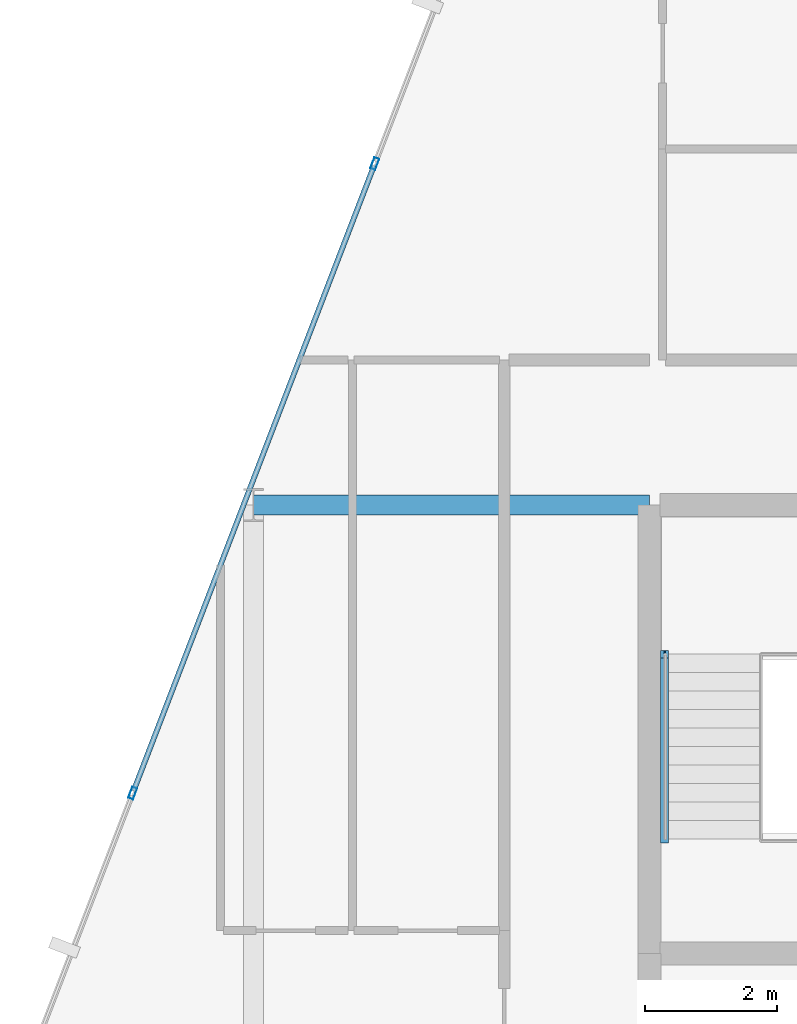
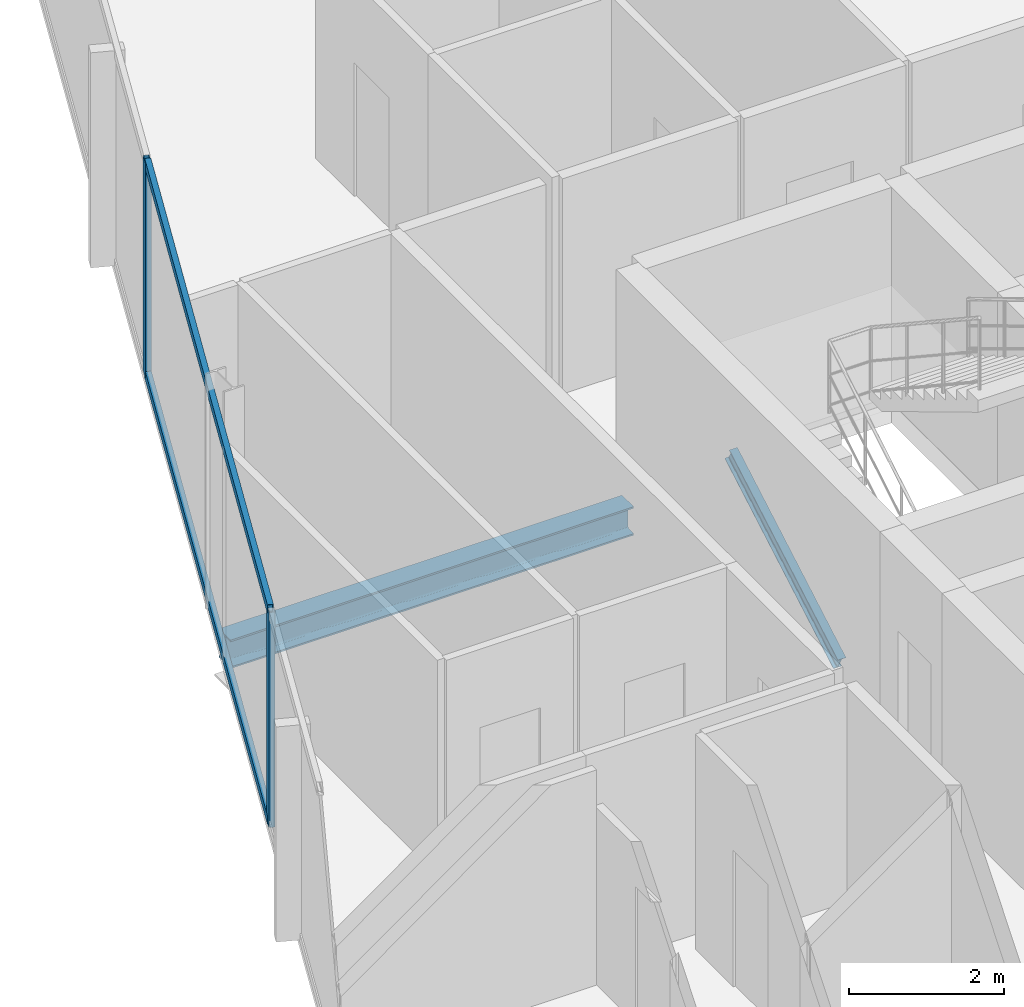
# One storey, part 15 of 31: 5 members, 1 beam, 1 element without a shape of its own.
"""IFC4 building model written with IfcOpenShell, lengths in metres."""

from ifc_helpers import new_model, si_unit, direction, frame, origin, origin_2d, place, context, subcontext, project, spatial, hollow_rectangle, i_section, extrude, material, layer, layer_set, material_profile, profile_set, type_object, element, aggregate, save


model = new_model("IFC4")

# Units and contexts
model_context = context("Model", 3, precision=1e-05, world=origin(), true_north=direction((0.0, 1.0)))
body_context = subcontext(model_context, "Body", "Model", "MODEL_VIEW")
ifc_project = project(units=[si_unit("LENGTHUNIT", "METRE"), si_unit("AREAUNIT", "SQUARE_METRE"), si_unit("VOLUMEUNIT", "CUBIC_METRE"), si_unit("PLANEANGLEUNIT", "RADIAN"), si_unit("MASSUNIT", "GRAM", prefix="KILO")], contexts=[model_context])

# Site, building, storey
site_placement = place(None, origin())
site = spatial("IfcSite", under=ifc_project, at=site_placement, CompositionType="ELEMENT")
building_placement = place(site_placement, origin())
building = spatial("IfcBuilding", under=site, at=building_placement, Name="Keshet Zoharim Tower", CompositionType="ELEMENT")
storey_placement = place(building_placement, frame((0.0, 0.0, 140.89990234375)))
storey = spatial("IfcBuildingStorey", under=building, at=storey_placement, Name="L34", CompositionType="ELEMENT", Elevation=140.89990234375)

# Beam
ifc_material_1 = material(Name="Steel S355", Category="steel")
ifc_material_profile_1 = material_profile(ifc_material_1, i_section(OverallWidth=0.300048828125, OverallDepth=0.449951171875, WebThickness=0.013916015625, FlangeThickness=0.02587890625, FilletRadius=0.027099609375, at=origin_2d()), Name="HEB450")
ifc_profile_set_1 = profile_set([ifc_material_profile_1], Name="Steel S355")
beam_type = type_object("IfcBeamType", Name="BM-WEB-HB450", PredefinedType="BEAM", material=ifc_profile_set_1)
beam_placement = place(storey_placement, frame((9.0, 37.89990234375, -0.539794921875), z_axis=(1.0, 0.0, 0.0), x_axis=(0.0, 1.0, 0.0)))
element("IfcBeam", 1, at=beam_placement, inside=storey, type_object=beam_type, Name="L34 Primary Girder X-018", PredefinedType="BEAM", context=body_context, shape_type="SweptSolid", body=[
    extrude(i_section(OverallWidth=0.300048828125, OverallDepth=0.449951171875, WebThickness=0.013916015625, FlangeThickness=0.02587890625, FilletRadius=0.027099609375, at=origin_2d()), origin(), (0.0, 0.0, 1.0), 6.0),
])

# Curtain wall, members
ifc_material_2 = material(Name="Aluminium 6063-T6", Category="aluminium")
ifc_layer = layer(ifc_material_2, 0.159912109375)
ifc_layer_set = layer_set([ifc_layer], Name="Aluminium 6063-T6")
curtain_wall_type = type_object("IfcCurtainWallType", Name="CW-SYS-03", PredefinedType="NOTDEFINED", material=ifc_layer_set)
curtain_wall_placement = place(storey_placement, origin())
curtain_wall = element("IfcCurtainWall", 2, at=curtain_wall_placement, inside=storey, type_object=curtain_wall_type, Name="L34 Unitised Curtain Wall 10", PredefinedType="NOTDEFINED")
ifc_material_profile_2 = material_profile(ifc_material_2, hollow_rectangle(XDim=0.080078125, YDim=0.179931640625, WallThickness=0.00439453125, at=origin_2d()), Name="MUL-80x180")
ifc_profile_set_2 = profile_set([ifc_material_profile_2], Name="Aluminium 6063-T6")
member_type_1 = type_object("IfcMemberType", Name="CWM-M18", PredefinedType="MULLION", material=ifc_profile_set_2)
member_1_placement = place(storey_placement, frame((7.1669921875, 33.53466796875, 0.0), z_axis=(0.0, 0.0, 1.0), x_axis=(-0.933341404361, 0.358990003907, 0.0)))
member_1 = element("IfcMember", 3, at=member_1_placement, type_object=member_type_1, Name="CW-03 mullion 2", PredefinedType="MULLION", context=body_context, shape_type="SweptSolid", body=[
    extrude(hollow_rectangle(XDim=0.080078125, YDim=0.179931640625, WallThickness=0.00439453125, at=origin_2d()), origin(), (0.0, 0.0, 1.0), 3.385009765625),
])
member_2_placement = place(storey_placement, frame((10.8369140625, 43.076416015625, 0.0), z_axis=(0.0, 0.0, 1.0), x_axis=(-0.933341404361, 0.358990003907, 0.0)))
member_2 = element("IfcMember", 4, at=member_2_placement, type_object=member_type_1, Name="CW-03 mullion 3", PredefinedType="MULLION", context=body_context, shape_type="SweptSolid", body=[
    extrude(hollow_rectangle(XDim=0.080078125, YDim=0.179931640625, WallThickness=0.00439453125, at=origin_2d()), origin(), (0.0, 0.0, 1.0), 3.385009765625),
])
ifc_material_profile_3 = material_profile(ifc_material_2, hollow_rectangle(XDim=0.080078125, YDim=0.139892578125, WallThickness=0.00390625, at=origin_2d()), Name="TRN-80x140")
ifc_profile_set_3 = profile_set([ifc_material_profile_3], Name="Aluminium 6063-T6")
member_type_2 = type_object("IfcMemberType", Name="CWT-T14", PredefinedType="USERDEFINED", material=ifc_profile_set_3)
member_3_placement = place(storey_placement, frame((7.179443359375, 33.5673828125, 0.03515625), z_axis=(0.359003248899, 0.933336309848, 0.0), x_axis=(-0.933336309848, 0.359003248899, 0.0)))
member_3 = element("IfcMember", 5, at=member_3_placement, type_object=member_type_2, Name="CW-03 transom 2.1", ObjectType="TRANSOM", PredefinedType="USERDEFINED", context=body_context, shape_type="SweptSolid", body=[
    extrude(hollow_rectangle(XDim=0.080078125, YDim=0.139892578125, WallThickness=0.00390625, at=origin_2d()), origin(), (0.0, 0.0, 1.0), 10.153076171875),
])
member_4_placement = place(storey_placement, frame((7.179443359375, 33.5673828125, 3.35009765625), z_axis=(0.359003248899, 0.933336309848, 0.0), x_axis=(-0.933336309848, 0.359003248899, 0.0)))
member_4 = element("IfcMember", 6, at=member_4_placement, type_object=member_type_2, Name="CW-03 transom 2.2", ObjectType="TRANSOM", PredefinedType="USERDEFINED", context=body_context, shape_type="SweptSolid", body=[
    extrude(hollow_rectangle(XDim=0.080078125, YDim=0.139892578125, WallThickness=0.00390625, at=origin_2d()), origin(), (0.0, 0.0, 1.0), 10.153076171875),
])
aggregate(curtain_wall, [member_1, member_2, member_3, member_4])

# Member
ifc_material_profile_4 = material_profile(ifc_material_1, i_section(OverallWidth=0.1201171875, OverallDepth=0.239990234375, WebThickness=0.006103515625, FlangeThickness=0.009765625, FilletRadius=0.014892578125, at=origin_2d()), Name="IPE240")
ifc_profile_set_4 = profile_set([ifc_material_profile_4], Name="Steel S355")
member_type_3 = type_object("IfcMemberType", Name="MB-STRG-IP240", PredefinedType="STRINGER", material=ifc_profile_set_4)
member_5_placement = place(storey_placement, frame((15.22998046875, 32.840087890625, 0.1201171875), z_axis=(0.0, 0.866909569656, 0.498465443174), x_axis=(-1.0, 0.0, 0.0)))
element("IfcMember", 7, at=member_5_placement, inside=storey, type_object=member_type_3, Name="L34 ST-02 Flight Steel Stringer", PredefinedType="STRINGER", context=body_context, shape_type="SweptSolid", body=[
    extrude(i_section(OverallWidth=0.1201171875, OverallDepth=0.239990234375, WebThickness=0.006103515625, FlangeThickness=0.009765625, FilletRadius=0.014892578125, at=origin_2d()), origin(), (0.0, 0.0, 1.0), 3.229736328125),
])

save(model, "model.ifc")
